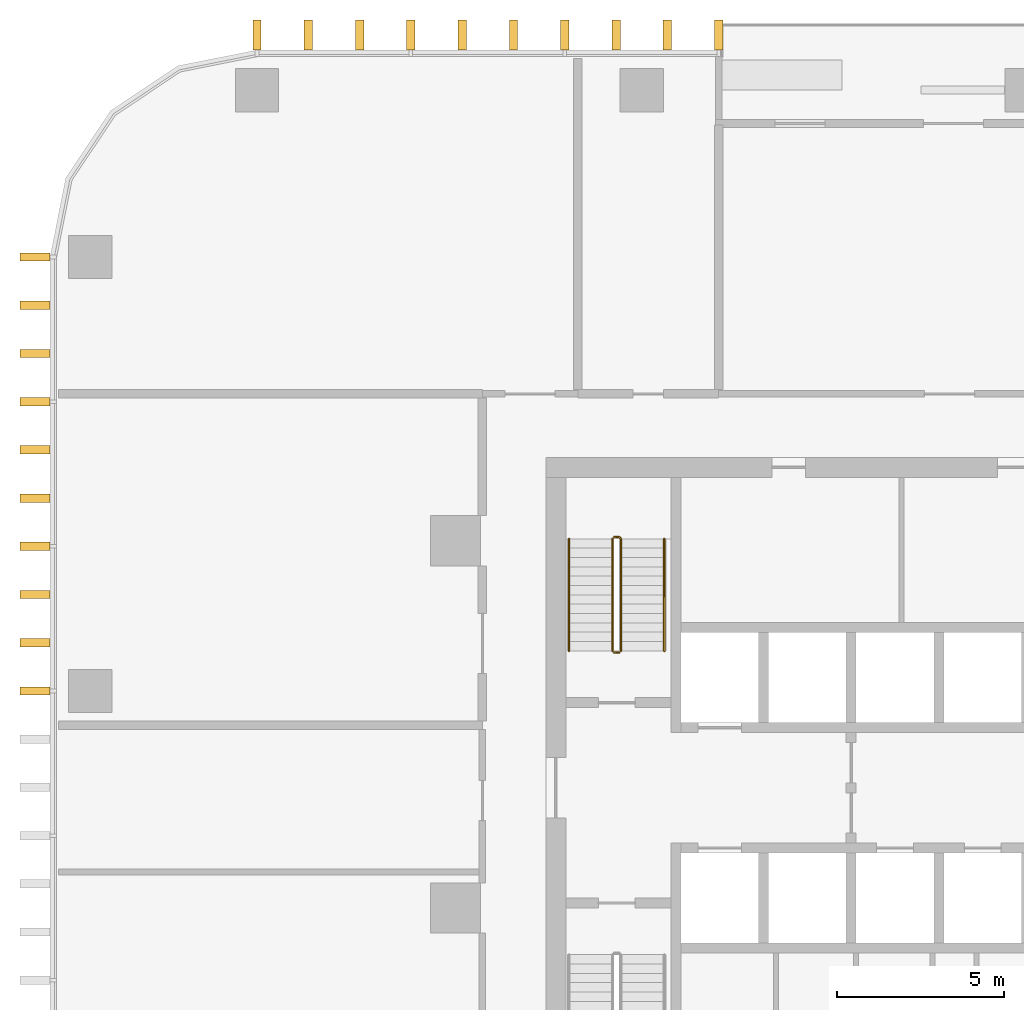
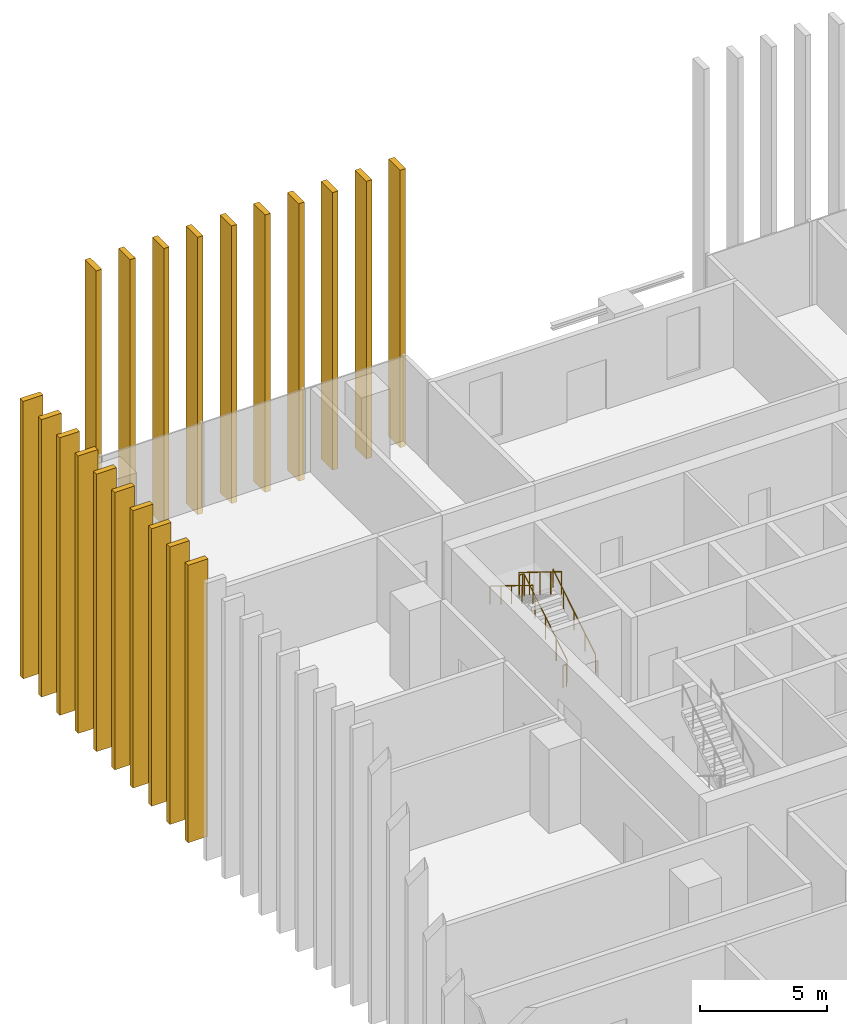
# One storey, part 15 of 17: 20 shading devices, 5 railings.
"""IFC4 building model written with IfcOpenShell, lengths in metres."""

from ifc_helpers import new_model, si_unit, direction, frame, origin, origin_2d, place, context, subcontext, project, spatial, rectangle, circle, extrude, material, type_object, element, save


model = new_model("IFC4")

# Units and contexts
model_context = context("Model", 3, precision=1e-05, world=origin(), true_north=direction((0.0, 1.0)))
body_context = subcontext(model_context, "Body", "Model", "MODEL_VIEW")
ifc_project = project(units=[si_unit("LENGTHUNIT", "METRE"), si_unit("AREAUNIT", "SQUARE_METRE"), si_unit("VOLUMEUNIT", "CUBIC_METRE"), si_unit("PLANEANGLEUNIT", "RADIAN"), si_unit("MASSUNIT", "GRAM", prefix="KILO")], contexts=[model_context])

# Site, building, storey
site_placement = place(None, origin())
site = spatial("IfcSite", under=ifc_project, at=site_placement, CompositionType="ELEMENT")
building_placement = place(site_placement, origin())
building = spatial("IfcBuilding", under=site, at=building_placement, Name="Mopane Tessera Tower", CompositionType="ELEMENT")
storey_placement = place(building_placement, frame((0.0, 0.0, 135.10009765625)))
storey = spatial("IfcBuildingStorey", under=building, at=storey_placement, Name="L27", CompositionType="ELEMENT", Elevation=135.10009765625)

# Shading devices
ifc_material_1 = material(Name="Glazed ceramic tile")
shading_device_type = type_object("IfcShadingDeviceType", Name="Ceramic tile fin 900 x 250 mm", PredefinedType="USERDEFINED", material=ifc_material_1)
for number, where, z_axis, x_axis, name in (
    (1, (-9.219970703125, 26.14990234375, -0.4501953125), (0.0, 0.0, 1.0), (-1.0, 0.0, 0.0), "e:fin:L27:N:7:0"),
    (2, (-10.756591796875, 26.14990234375, -0.4501953125), (0.0, 0.0, 1.0), (-1.0, 0.0, 0.0), "e:fin:L27:N:7:1"),
    (3, (-12.293212890625, 26.14990234375, -0.4501953125), (0.0, 0.0, 1.0), (-1.0, 0.0, 0.0), "e:fin:L27:N:7:2"),
    (4, (-13.830078125, 26.14990234375, -0.4501953125), (0.0, 0.0, 1.0), (-1.0, 0.0, 0.0), "e:fin:L27:N:8:0"),
    (5, (-15.36669921875, 26.14990234375, -0.4501953125), (0.0, 0.0, 1.0), (-1.0, 0.0, 0.0), "e:fin:L27:N:8:1"),
    (6, (-16.9033203125, 26.14990234375, -0.4501953125), (0.0, 0.0, 1.0), (-1.0, 0.0, 0.0), "e:fin:L27:N:8:2"),
    (7, (-18.43994140625, 26.14990234375, -0.4501953125), (0.0, 0.0, 1.0), (-1.0, 0.0, 0.0), "e:fin:L27:N:9:0"),
    (8, (-19.9765625, 26.14990234375, -0.4501953125), (0.0, 0.0, 1.0), (-1.0, 0.0, 0.0), "e:fin:L27:N:9:1"),
    (9, (-21.513427734375, 26.14990234375, -0.4501953125), (0.0, 0.0, 1.0), (-1.0, 0.0, 0.0), "e:fin:L27:N:9:2"),
    (10, (-23.050048828125, 26.14990234375, -0.4501953125), (0.0, 0.0, 1.0), (-1.0, 0.0, 0.0), "e:fin:L27:N:9:3"),
    (11, (-29.699951171875, 19.5, -0.4501953125), (0.0, 0.0, 1.0), (0.0, -1.0, 0.0), "e:fin:L27:W:0:0"),
    (12, (-29.699951171875, 18.0556640625, -0.4501953125), (0.0, 0.0, 1.0), (0.0, -1.0, 0.0), "e:fin:L27:W:0:1"),
    (13, (-29.699951171875, 16.611083984375, -0.4501953125), (0.0, 0.0, 1.0), (0.0, -1.0, 0.0), "e:fin:L27:W:0:2"),
    (14, (-29.699951171875, 15.166748046875, -0.4501953125), (0.0, 0.0, 1.0), (0.0, -1.0, 0.0), "e:fin:L27:W:1:0"),
    (15, (-29.699951171875, 13.72216796875, -0.4501953125), (0.0, 0.0, 1.0), (0.0, -1.0, 0.0), "e:fin:L27:W:1:1"),
    (16, (-29.699951171875, 12.27783203125, -0.4501953125), (0.0, 0.0, 1.0), (0.0, -1.0, 0.0), "e:fin:L27:W:1:2"),
    (17, (-29.699951171875, 10.833251953125, -0.4501953125), (0.0, 0.0, 1.0), (0.0, -1.0, 0.0), "e:fin:L27:W:2:0"),
    (18, (-29.699951171875, 9.388916015625, -0.4501953125), (0.0, 0.0, 1.0), (0.0, -1.0, 0.0), "e:fin:L27:W:2:1"),
    (19, (-29.699951171875, 7.9443359375, -0.4501953125), (0.0, 0.0, 1.0), (0.0, -1.0, 0.0), "e:fin:L27:W:2:2"),
    (20, (-29.699951171875, 6.5, -0.4501953125), (0.0, 0.0, 1.0), (0.0, -1.0, 0.0), "e:fin:L27:W:3:0"),
):
    element("IfcShadingDevice", number, at=place(storey_placement, frame(where, z_axis=z_axis, x_axis=x_axis)), inside=storey, type_object=shading_device_type, Name=name, ObjectType="FIN", PredefinedType="USERDEFINED", context=body_context, shape_type="SweptSolid", body=[
        extrude(rectangle(XDim=0.25, YDim=0.89990234375, at=origin_2d()), origin(), (0.0, 0.0, 1.0), 13.35009765625),
    ])

# Railings
ifc_material_2 = material(Name="Powder-coated steel balustrade", Category="steel")
railing_type_1 = type_object("IfcRailingType", Name="Escape stair guard 1100 mm", PredefinedType="GUARDRAIL", material=ifc_material_2)
railing_1_placement = place(storey_placement, frame((-12.14990234375, 7.699951171875, 0.173095703125)))
element("IfcRailing", 21, at=railing_1_placement, inside=storey, type_object=railing_type_1, Name="L27 ST2 stair guard 1", PredefinedType="GUARDRAIL", context=body_context, shape_type="SweptSolid", body=[
    extrude(circle(Radius=0.02392578125, at=origin_2d()), frame((0.0, 0.0, 1.076171875), z_axis=(0.0, 0.850623216509, 0.525775754039), x_axis=(-1.0, 0.0, 0.0)), (0.0, 0.0, 1.0), 3.9501953125),
    extrude(circle(Radius=0.02392578125, at=origin_2d()), frame((0.0, 3.360107421875, 3.15283203125), z_axis=(-0.707106781187, 0.707106781187, 0.0), x_axis=(-0.707106781187, -0.707106781187, 0.0)), (0.0, 0.0, 1.0), 0.07080078125),
    extrude(circle(Radius=0.02392578125, at=origin_2d()), frame((-0.050048828125, 3.41015625, 3.15283203125), z_axis=(-1.0, 0.0, 0.0), x_axis=(0.0, -1.0, 0.0)), (0.0, 0.0, 1.0), 0.150146484375),
    extrude(circle(Radius=0.02099609375, at=origin_2d()), origin(), (0.0, 0.0, 1.0), 1.052001953125),
    extrude(circle(Radius=0.02099609375, at=origin_2d()), frame((0.0, 0.840087890625, 0.519287109375)), (0.0, 0.0, 1.0), 1.052001953125),
    extrude(circle(Radius=0.02099609375, at=origin_2d()), frame((0.0, 1.68017578125, 1.03857421875)), (0.0, 0.0, 1.0), 1.052001953125),
    extrude(circle(Radius=0.02099609375, at=origin_2d()), frame((0.0, 2.52001953125, 1.5576171875)), (0.0, 0.0, 1.0), 1.052001953125),
    extrude(circle(Radius=0.02099609375, at=origin_2d()), frame((0.0, 3.360107421875, 2.076904296875)), (0.0, 0.0, 1.0), 1.052001953125),
    extrude(circle(Radius=0.02099609375, at=origin_2d()), frame((-0.050048828125, 3.41015625, 2.076904296875)), (0.0, 0.0, 1.0), 1.052001953125),
    extrude(circle(Radius=0.02099609375, at=origin_2d()), frame((-0.2001953125, 3.41015625, 2.076904296875)), (0.0, 0.0, 1.0), 1.052001953125),
])
railing_2_placement = place(storey_placement, frame((-12.39990234375, 11.06005859375, 2.423095703125)))
element("IfcRailing", 22, at=railing_2_placement, inside=storey, type_object=railing_type_1, Name="L27 ST2 stair guard 2", PredefinedType="GUARDRAIL", context=body_context, shape_type="SweptSolid", body=[
    extrude(circle(Radius=0.02392578125, at=origin_2d()), frame((0.0, 0.0, 1.076171875), z_axis=(0.0, -0.850623216509, 0.525775754039), x_axis=(1.0, 0.0, 0.0)), (0.0, 0.0, 1.0), 3.9501953125),
    extrude(circle(Radius=0.02099609375, at=origin_2d()), origin(), (0.0, 0.0, 1.0), 1.052001953125),
    extrude(circle(Radius=0.02099609375, at=origin_2d()), frame((0.0, -0.840087890625, 0.519287109375)), (0.0, 0.0, 1.0), 1.052001953125),
    extrude(circle(Radius=0.02099609375, at=origin_2d()), frame((0.0, -1.68017578125, 1.03857421875)), (0.0, 0.0, 1.0), 1.052001953125),
    extrude(circle(Radius=0.02099609375, at=origin_2d()), frame((0.0, -2.52001953125, 1.5576171875)), (0.0, 0.0, 1.0), 1.052001953125),
    extrude(circle(Radius=0.02099609375, at=origin_2d()), frame((0.0, -3.360107421875, 2.076904296875)), (0.0, 0.0, 1.0), 1.052001953125),
])
railing_3_placement = place(storey_placement, frame((-12.199951171875, 7.64990234375, 0.0)))
element("IfcRailing", 23, at=railing_3_placement, inside=storey, type_object=railing_type_1, Name="L27 ST2 stair guard 3", PredefinedType="GUARDRAIL", context=body_context, shape_type="SweptSolid", body=[
    extrude(circle(Radius=0.02392578125, at=origin_2d()), frame((0.0, 0.0, 1.076171875), z_axis=(-1.0, 0.0, 0.0), x_axis=(0.0, -1.0, 0.0)), (0.0, 0.0, 1.0), 0.150146484375),
    extrude(circle(Radius=0.02099609375, at=origin_2d()), origin(), (0.0, 0.0, 1.0), 1.052001953125),
    extrude(circle(Radius=0.02099609375, at=origin_2d()), frame((-0.150146484375, 0.0, 0.0)), (0.0, 0.0, 1.0), 1.052001953125),
])
ifc_material_3 = material(Name="Powder-coated steel balustrade", Category="steel")
railing_type_2 = type_object("IfcRailingType", Name="Escape stair handrail 900 mm", PredefinedType="HANDRAIL", material=ifc_material_3)
railing_4_placement = place(storey_placement, frame((-10.85009765625, 7.699951171875, 0.173095703125)))
element("IfcRailing", 24, at=railing_4_placement, inside=storey, type_object=railing_type_2, Name="L27 ST2 stair handrail 1", PredefinedType="HANDRAIL", context=body_context, shape_type="SweptSolid", body=[
    extrude(circle(Radius=0.02392578125, at=origin_2d()), frame((0.0, 0.0, 0.8759765625), z_axis=(0.0, 0.850623216509, 0.525775754039), x_axis=(-1.0, 0.0, 0.0)), (0.0, 0.0, 1.0), 3.9501953125),
    extrude(circle(Radius=0.02099609375, at=origin_2d()), origin(), (0.0, 0.0, 1.0), 0.851806640625),
    extrude(circle(Radius=0.02099609375, at=origin_2d()), frame((0.0, 0.840087890625, 0.519287109375)), (0.0, 0.0, 1.0), 0.851806640625),
    extrude(circle(Radius=0.02099609375, at=origin_2d()), frame((0.0, 1.68017578125, 1.03857421875)), (0.0, 0.0, 1.0), 0.851806640625),
    extrude(circle(Radius=0.02099609375, at=origin_2d()), frame((0.0, 2.52001953125, 1.5576171875)), (0.0, 0.0, 1.0), 0.851806640625),
    extrude(circle(Radius=0.02099609375, at=origin_2d()), frame((0.0, 3.360107421875, 2.076904296875)), (0.0, 0.0, 1.0), 0.851806640625),
])
railing_5_placement = place(storey_placement, frame((-13.699951171875, 11.06005859375, 2.423095703125)))
element("IfcRailing", 25, at=railing_5_placement, inside=storey, type_object=railing_type_2, Name="L27 ST2 stair handrail 2", PredefinedType="HANDRAIL", context=body_context, shape_type="SweptSolid", body=[
    extrude(circle(Radius=0.02392578125, at=origin_2d()), frame((0.0, 0.0, 0.8759765625), z_axis=(0.0, -0.850623216509, 0.525775754039), x_axis=(1.0, 0.0, 0.0)), (0.0, 0.0, 1.0), 3.9501953125),
    extrude(circle(Radius=0.02099609375, at=origin_2d()), origin(), (0.0, 0.0, 1.0), 0.851806640625),
    extrude(circle(Radius=0.02099609375, at=origin_2d()), frame((0.0, -0.840087890625, 0.519287109375)), (0.0, 0.0, 1.0), 0.851806640625),
    extrude(circle(Radius=0.02099609375, at=origin_2d()), frame((0.0, -1.68017578125, 1.03857421875)), (0.0, 0.0, 1.0), 0.851806640625),
    extrude(circle(Radius=0.02099609375, at=origin_2d()), frame((0.0, -2.52001953125, 1.5576171875)), (0.0, 0.0, 1.0), 0.851806640625),
    extrude(circle(Radius=0.02099609375, at=origin_2d()), frame((0.0, -3.360107421875, 2.076904296875)), (0.0, 0.0, 1.0), 0.851806640625),
])

save(model, "model.ifc")
